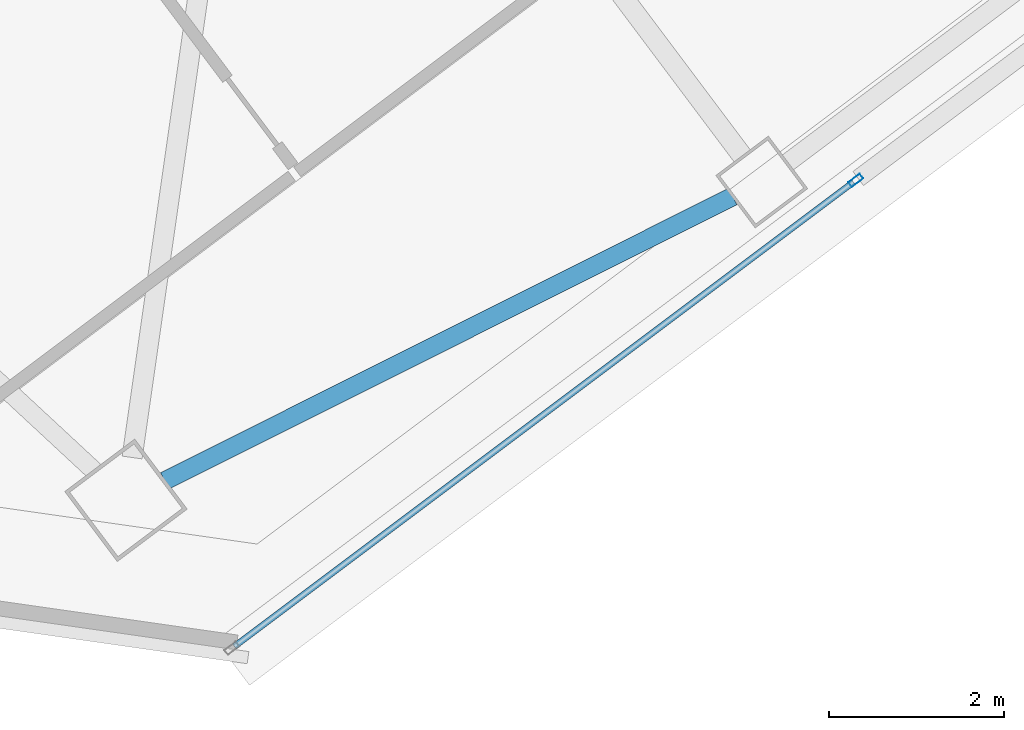
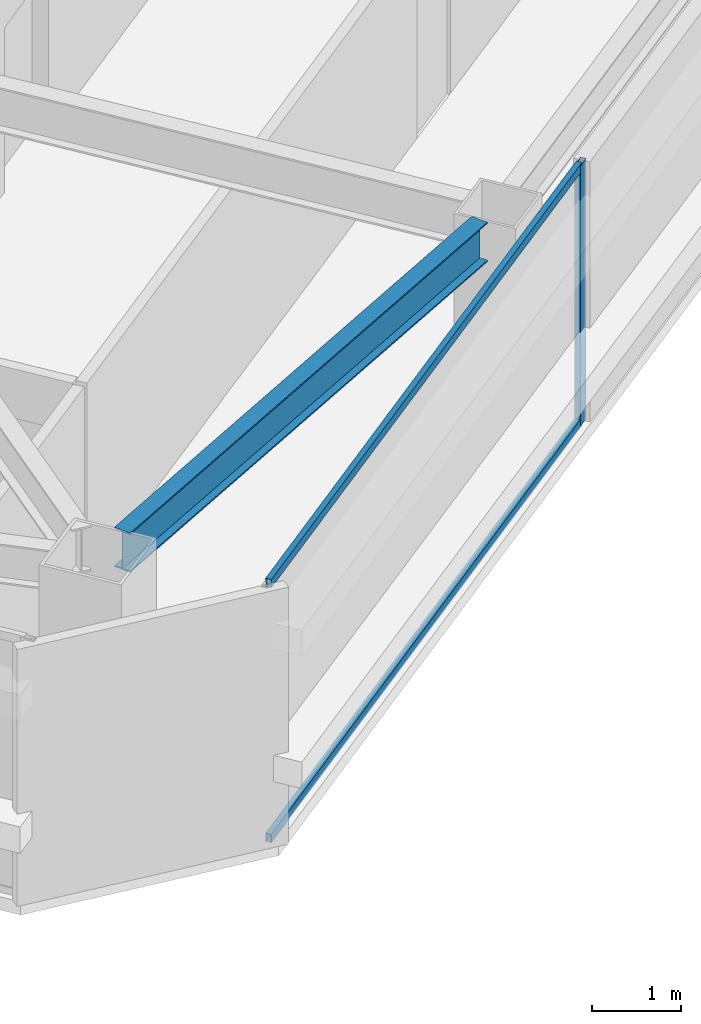
# One storey, part 18 of 39: 3 members, 1 beam, 1 element without a shape of its own.
"""IFC4 building model written with IfcOpenShell, lengths in metres."""

from ifc_helpers import new_model, si_unit, direction, frame, origin, origin_2d, place, context, subcontext, project, spatial, hollow_rectangle, i_section, extrude, material, material_profile, profile_set, type_object, element, aggregate, save


model = new_model("IFC4")

# Units and contexts
model_context = context("Model", 3, precision=1e-05, world=origin(), true_north=direction((0.0, 1.0)))
body_context = subcontext(model_context, "Body", "Model", "MODEL_VIEW")
ifc_project = project(units=[si_unit("LENGTHUNIT", "METRE"), si_unit("AREAUNIT", "SQUARE_METRE"), si_unit("VOLUMEUNIT", "CUBIC_METRE"), si_unit("PLANEANGLEUNIT", "RADIAN"), si_unit("MASSUNIT", "GRAM", prefix="KILO")], contexts=[model_context])

# Site, building, storey
site_placement = place(None, origin())
site = spatial("IfcSite", under=ifc_project, at=site_placement, CompositionType="ELEMENT")
building_placement = place(site_placement, origin())
building = spatial("IfcBuilding", under=site, at=building_placement, Name="Tashvorn Skyway Center", CompositionType="ELEMENT")
storey_placement = place(building_placement, frame((0.0, 0.0, 207.75)))
storey = spatial("IfcBuildingStorey", under=building, at=storey_placement, Name="L56", CompositionType="ELEMENT", Elevation=207.75)

# Beam
ifc_material_1 = material(Name="Steel ASTM A992 Grade 50", Category="steel")
ifc_material_profile_1 = material_profile(ifc_material_1, i_section(OverallWidth=0.2109375, OverallDepth=0.5390625, WebThickness=0.01171875, FlangeThickness=0.018798828125, at=origin_2d()), Name="W21X73")
ifc_profile_set_1 = profile_set([ifc_material_profile_1], Name="Steel ASTM A992 Grade 50")
beam_type = type_object("IfcBeamType", Name="BM-SPANDREL-W21X73", PredefinedType="SPANDREL", material=ifc_profile_set_1)
beam_placement = place(storey_placement, frame((111.7626953125, 13.461669921875, 3.1005859375), z_axis=(0.894178380472, 0.447710870872, 0.0), x_axis=(-0.447710870872, 0.894178380472, 0.0)))
element("IfcBeam", 1, at=beam_placement, inside=storey, type_object=beam_type, Name="Tower 2 L56 Spandrel Beam 01", PredefinedType="SPANDREL", context=body_context, shape_type="SweptSolid", body=[
    extrude(i_section(OverallWidth=0.2109375, OverallDepth=0.5390625, WebThickness=0.01171875, FlangeThickness=0.018798828125, at=origin_2d()), origin(), (0.0, 0.0, 1.0), 7.26513671875),
])

# Curtain wall, members
ifc_material_2 = material(Name="Thermally broken bronze-anodized aluminium 6063-T6", Category="aluminium")
curtain_wall_type = type_object("IfcCurtainWallType", Name="CW-CW-Z5", PredefinedType="NOTDEFINED", material=ifc_material_2)
curtain_wall_placement = place(storey_placement, origin())
curtain_wall = element("IfcCurtainWall", 2, at=curtain_wall_placement, inside=storey, type_object=curtain_wall_type, Name="Tower 2 L56 South Unitised Curtain Wall Glazing Group 2", PredefinedType="NOTDEFINED")
ifc_material_profile_2 = material_profile(ifc_material_2, hollow_rectangle(XDim=0.070068359375, YDim=0.1650390625, WallThickness=0.00390625, at=origin_2d()), Name="ALU-MULL-70x165")
ifc_profile_set_2 = profile_set([ifc_material_profile_2], Name="Thermally broken bronze-anodized aluminium 6063-T6")
member_type_1 = type_object("IfcMemberType", Name="CWM-CW-Z5", PredefinedType="MULLION", material=ifc_profile_set_2)
member_1_placement = place(storey_placement, frame((119.665283203125, 16.89892578125, 0.0), z_axis=(0.0, 0.0, 1.0), x_axis=(0.600001780418, -0.799998664683, 0.0)))
member_1 = element("IfcMember", 3, at=member_1_placement, type_object=member_type_1, Name="CW-Z5 mullion 1", PredefinedType="MULLION", context=body_context, shape_type="SweptSolid", body=[
    extrude(hollow_rectangle(XDim=0.070068359375, YDim=0.1650390625, WallThickness=0.00390625, at=origin_2d()), origin(), (0.0, 0.0, 1.0), 3.550048828125),
])
ifc_material_profile_3 = material_profile(ifc_material_2, hollow_rectangle(XDim=0.070068359375, YDim=0.114990234375, WallThickness=0.00390625, at=origin_2d()), Name="ALU-TRAN-70x115")
ifc_profile_set_3 = profile_set([ifc_material_profile_3], Name="Thermally broken bronze-anodized aluminium 6063-T6")
member_type_2 = type_object("IfcMemberType", Name="CWT-CW-Z5", PredefinedType="USERDEFINED", material=ifc_profile_set_3)
member_2_placement = place(storey_placement, frame((119.63720703125, 16.8779296875, 0.034912109375), z_axis=(-0.8, -0.6, 0.0), x_axis=(0.6, -0.8, 0.0)))
member_2 = element("IfcMember", 4, at=member_2_placement, type_object=member_type_2, Name="CW-Z5 transom 1.1", ObjectType="TRANSOM", PredefinedType="USERDEFINED", context=body_context, shape_type="SweptSolid", body=[
    extrude(hollow_rectangle(XDim=0.070068359375, YDim=0.114990234375, WallThickness=0.00390625, at=origin_2d()), origin(), (0.0, 0.0, 1.0), 8.846435546875),
])
member_3_placement = place(storey_placement, frame((119.63720703125, 16.8779296875, 3.514892578125), z_axis=(-0.8, -0.6, 0.0), x_axis=(0.6, -0.8, 0.0)))
member_3 = element("IfcMember", 5, at=member_3_placement, type_object=member_type_2, Name="CW-Z5 transom 1.2", ObjectType="TRANSOM", PredefinedType="USERDEFINED", context=body_context, shape_type="SweptSolid", body=[
    extrude(hollow_rectangle(XDim=0.070068359375, YDim=0.114990234375, WallThickness=0.00390625, at=origin_2d()), origin(), (0.0, 0.0, 1.0), 8.846435546875),
])
aggregate(curtain_wall, [member_1, member_2, member_3])

save(model, "model.ifc")
